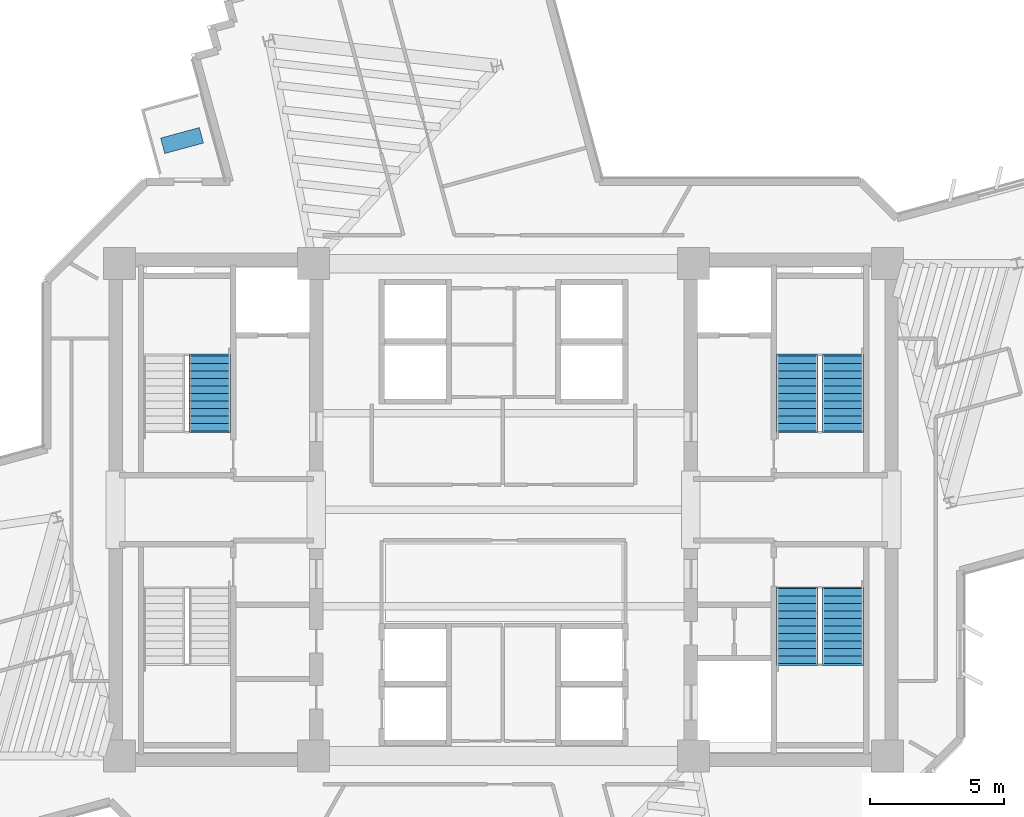
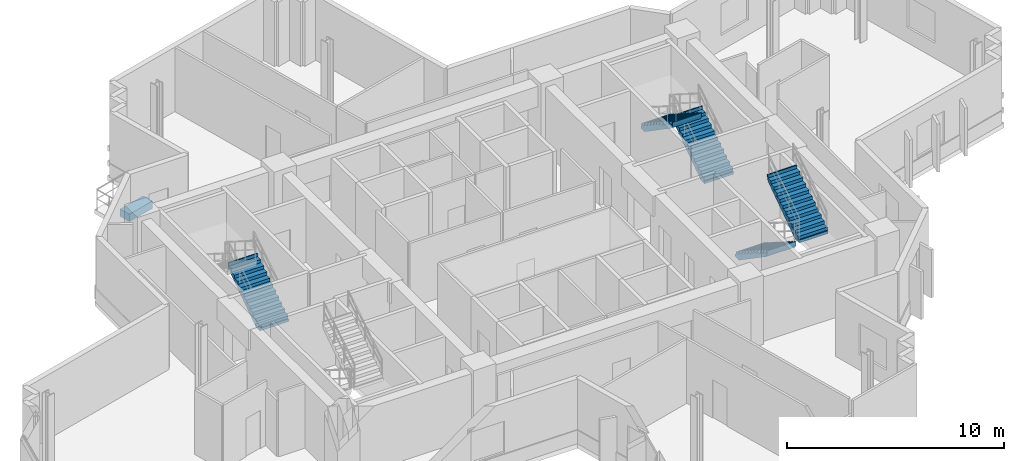
# One storey, part 12 of 15: 5 stair flights, 1 discrete accessory, 3 elements without a shape of their own.
"""IFC4 building model written with IfcOpenShell, lengths in metres."""

from ifc_helpers import new_model, si_unit, direction, frame, origin, origin_2d, place, context, subcontext, project, spatial, polyline, rectangle, outline, extrude, source, transform, mapped, material, type_object, element, aggregate, save


model = new_model("IFC4")

# Units and contexts
model_context = context("Model", 3, precision=1e-05, world=origin(), true_north=direction((0.0, 1.0)))
body_context = subcontext(model_context, "Body", "Model", "MODEL_VIEW")
ifc_project = project(units=[si_unit("LENGTHUNIT", "METRE"), si_unit("AREAUNIT", "SQUARE_METRE"), si_unit("VOLUMEUNIT", "CUBIC_METRE"), si_unit("PLANEANGLEUNIT", "RADIAN"), si_unit("MASSUNIT", "GRAM", prefix="KILO")], contexts=[model_context])

# Site, building, storey
site_placement = place(None, origin())
site = spatial("IfcSite", under=ifc_project, at=site_placement, CompositionType="ELEMENT")
building_placement = place(site_placement, origin())
building = spatial("IfcBuilding", under=site, at=building_placement, Name="Zahravan Cultural Tower", CompositionType="ELEMENT")
storey_placement = place(building_placement, frame((0.0, 0.0, 194.10009765625)))
storey = spatial("IfcBuildingStorey", under=building, at=storey_placement, Name="L45", CompositionType="ELEMENT", Elevation=194.10009765625)

# Stair, stair flight
ifc_material_1 = material(Name="Concrete C45/55", Category="concrete")
stair_type = type_object("IfcStairType", Name="STR-DL-1550-390", PredefinedType="HALF_TURN_STAIR", material=ifc_material_1)
stair_1_placement = place(storey_placement, origin())
stair_1 = element("IfcStair", 1, at=stair_1_placement, inside=storey, type_object=stair_type, Name="L45 West Core North Exit Stair ST-W1", PredefinedType="HALF_TURN_STAIR")
stair_flight_type = type_object("IfcStairFlightType", Name="FLG-DL-1550-390", PredefinedType="STRAIGHT", material=ifc_material_1)
stair_flight_1_placement = place(storey_placement, frame((25.02490234375, 29.949951171875, 0.0), z_axis=(0.0, 0.0, 1.0), x_axis=(0.0, 1.0, 0.0)))
stair_flight_1 = element("IfcStairFlight", 2, at=stair_flight_1_placement, type_object=stair_flight_type, Name="ST-W1 flight 1", NumberOfRisers=11, NumberOfTreads=10, PredefinedType="STRAIGHT", RiserHeight=0.177272727, TreadLength=0.28, context=body_context, shape_type="SweptSolid", body=[
    extrude(outline(polyline([(-0.06494140625, -0.139892578125), (-0.06494140625, 0.0), (0.0, 0.0), (0.0, 0.17724609375), (0.280029296875, 0.17724609375), (0.280029296875, 0.3544921875), (0.56005859375, 0.3544921875), (0.56005859375, 0.53173828125), (0.840087890625, 0.53173828125), (0.840087890625, 0.708984375), (1.1201171875, 0.708984375), (1.1201171875, 0.886474609375), (1.39990234375, 0.886474609375), (1.39990234375, 1.063720703125), (1.679931640625, 1.063720703125), (1.679931640625, 1.240966796875), (1.9599609375, 1.240966796875), (1.9599609375, 1.418212890625), (2.239990234375, 1.418212890625), (2.239990234375, 1.595458984375), (2.52001953125, 1.595458984375), (2.52001953125, 1.772705078125), (2.800048828125, 1.772705078125), (2.800048828125, 1.949951171875), (2.864990234375, 1.949951171875), (2.864990234375, 1.800048828125), (2.800048828125, 1.59521484375), (0.2802734375, -0.139892578125), (-0.06494140625, -0.139892578125)])), frame((0.0, 0.77490234375, 0.0), z_axis=(0.0, -1.0, 0.0), x_axis=(1.0, 0.0, 0.0)), (0.0, 0.0, 1.0), 1.550048828125),
])
aggregate(stair_1, [stair_flight_1])

# Stair, stair flights
stair_2_placement = place(storey_placement, origin())
stair_2 = element("IfcStair", 3, at=stair_2_placement, inside=storey, type_object=stair_type, Name="L45 East Core North Exit Stair ST-E1", PredefinedType="HALF_TURN_STAIR")
stair_flight_2_placement = place(storey_placement, frame((48.675048828125, 29.949951171875, 0.0), z_axis=(0.0, 0.0, 1.0), x_axis=(0.0, 1.0, 0.0)))
stair_flight_2 = element("IfcStairFlight", 4, at=stair_flight_2_placement, type_object=stair_flight_type, Name="ST-E1 flight 1", NumberOfRisers=11, NumberOfTreads=10, PredefinedType="STRAIGHT", RiserHeight=0.177272727, TreadLength=0.28, context=body_context, shape_type="SweptSolid", body=[
    extrude(outline(polyline([(-0.06494140625, -0.139892578125), (-0.06494140625, 0.0), (0.0, 0.0), (0.0, 0.17724609375), (0.280029296875, 0.17724609375), (0.280029296875, 0.3544921875), (0.56005859375, 0.3544921875), (0.56005859375, 0.53173828125), (0.840087890625, 0.53173828125), (0.840087890625, 0.708984375), (1.1201171875, 0.708984375), (1.1201171875, 0.886474609375), (1.39990234375, 0.886474609375), (1.39990234375, 1.063720703125), (1.679931640625, 1.063720703125), (1.679931640625, 1.240966796875), (1.9599609375, 1.240966796875), (1.9599609375, 1.418212890625), (2.239990234375, 1.418212890625), (2.239990234375, 1.595458984375), (2.52001953125, 1.595458984375), (2.52001953125, 1.772705078125), (2.800048828125, 1.772705078125), (2.800048828125, 1.949951171875), (2.864990234375, 1.949951171875), (2.864990234375, 1.800048828125), (2.800048828125, 1.59521484375), (0.2802734375, -0.139892578125), (-0.06494140625, -0.139892578125)])), frame((0.0, 0.77490234375, 0.0), z_axis=(0.0, -1.0, 0.0), x_axis=(1.0, 0.0, 0.0)), (0.0, 0.0, 1.0), 1.550048828125),
])
stair_flight_3_placement = place(storey_placement, frame((46.97509765625, 32.75, 1.949951171875), z_axis=(0.0, 0.0, 1.0), x_axis=(0.0, -1.0, 0.0)))
stair_flight_3 = element("IfcStairFlight", 5, at=stair_flight_3_placement, type_object=stair_flight_type, Name="ST-E1 flight 2", NumberOfRisers=11, NumberOfTreads=10, PredefinedType="STRAIGHT", RiserHeight=0.177272727, TreadLength=0.28, context=body_context, shape_type="SweptSolid", body=[
    extrude(outline(polyline([(-0.06494140625, -0.139892578125), (-0.06494140625, 0.0), (0.0, 0.0), (0.0, 0.17724609375), (0.280029296875, 0.17724609375), (0.280029296875, 0.3544921875), (0.56005859375, 0.3544921875), (0.56005859375, 0.53173828125), (0.840087890625, 0.53173828125), (0.840087890625, 0.708984375), (1.1201171875, 0.708984375), (1.1201171875, 0.886474609375), (1.39990234375, 0.886474609375), (1.39990234375, 1.063720703125), (1.679931640625, 1.063720703125), (1.679931640625, 1.240966796875), (1.9599609375, 1.240966796875), (1.9599609375, 1.418212890625), (2.239990234375, 1.418212890625), (2.239990234375, 1.595458984375), (2.52001953125, 1.595458984375), (2.52001953125, 1.772705078125), (2.800048828125, 1.772705078125), (2.800048828125, 1.949951171875), (2.864990234375, 1.949951171875), (2.864990234375, 1.800048828125), (2.800048828125, 1.59521484375), (0.2802734375, -0.139892578125), (-0.06494140625, -0.139892578125)])), frame((0.0, 0.77490234375, 0.0), z_axis=(0.0, -1.0, 0.0), x_axis=(1.0, 0.0, 0.0)), (0.0, 0.0, 1.0), 1.550048828125),
])
aggregate(stair_2, [stair_flight_2, stair_flight_3])

stair_3_placement = place(storey_placement, origin())
stair_3 = element("IfcStair", 6, at=stair_3_placement, inside=storey, type_object=stair_type, Name="L45 East Core South Exit Stair ST-E2", PredefinedType="HALF_TURN_STAIR")
stair_flight_4_placement = place(storey_placement, frame((46.97509765625, 24.050048828125, 0.0), z_axis=(0.0, 0.0, 1.0), x_axis=(0.0, -1.0, 0.0)))
stair_flight_4 = element("IfcStairFlight", 7, at=stair_flight_4_placement, type_object=stair_flight_type, Name="ST-E2 flight 1", NumberOfRisers=11, NumberOfTreads=10, PredefinedType="STRAIGHT", RiserHeight=0.177272727, TreadLength=0.28, context=body_context, shape_type="SweptSolid", body=[
    extrude(outline(polyline([(-0.06494140625, -0.139892578125), (-0.06494140625, 0.0), (0.0, 0.0), (0.0, 0.17724609375), (0.280029296875, 0.17724609375), (0.280029296875, 0.3544921875), (0.56005859375, 0.3544921875), (0.56005859375, 0.53173828125), (0.840087890625, 0.53173828125), (0.840087890625, 0.708984375), (1.1201171875, 0.708984375), (1.1201171875, 0.886474609375), (1.39990234375, 0.886474609375), (1.39990234375, 1.063720703125), (1.679931640625, 1.063720703125), (1.679931640625, 1.240966796875), (1.9599609375, 1.240966796875), (1.9599609375, 1.418212890625), (2.239990234375, 1.418212890625), (2.239990234375, 1.595458984375), (2.52001953125, 1.595458984375), (2.52001953125, 1.772705078125), (2.800048828125, 1.772705078125), (2.800048828125, 1.949951171875), (2.864990234375, 1.949951171875), (2.864990234375, 1.800048828125), (2.800048828125, 1.59521484375), (0.2802734375, -0.139892578125), (-0.06494140625, -0.139892578125)])), frame((0.0, 0.77490234375, 0.0), z_axis=(0.0, -1.0, 0.0), x_axis=(1.0, 0.0, 0.0)), (0.0, 0.0, 1.0), 1.550048828125),
])
stair_flight_5_placement = place(storey_placement, frame((48.675048828125, 21.25, 1.949951171875), z_axis=(0.0, 0.0, 1.0), x_axis=(0.0, 1.0, 0.0)))
stair_flight_5 = element("IfcStairFlight", 8, at=stair_flight_5_placement, type_object=stair_flight_type, Name="ST-E2 flight 2", NumberOfRisers=11, NumberOfTreads=10, PredefinedType="STRAIGHT", RiserHeight=0.177272727, TreadLength=0.28, context=body_context, shape_type="SweptSolid", body=[
    extrude(outline(polyline([(-0.06494140625, -0.139892578125), (-0.06494140625, 0.0), (0.0, 0.0), (0.0, 0.17724609375), (0.280029296875, 0.17724609375), (0.280029296875, 0.3544921875), (0.56005859375, 0.3544921875), (0.56005859375, 0.53173828125), (0.840087890625, 0.53173828125), (0.840087890625, 0.708984375), (1.1201171875, 0.708984375), (1.1201171875, 0.886474609375), (1.39990234375, 0.886474609375), (1.39990234375, 1.063720703125), (1.679931640625, 1.063720703125), (1.679931640625, 1.240966796875), (1.9599609375, 1.240966796875), (1.9599609375, 1.418212890625), (2.239990234375, 1.418212890625), (2.239990234375, 1.595458984375), (2.52001953125, 1.595458984375), (2.52001953125, 1.772705078125), (2.800048828125, 1.772705078125), (2.800048828125, 1.949951171875), (2.864990234375, 1.949951171875), (2.864990234375, 1.800048828125), (2.800048828125, 1.59521484375), (0.2802734375, -0.139892578125), (-0.06494140625, -0.139892578125)])), frame((0.0, 0.77490234375, 0.0), z_axis=(0.0, -1.0, 0.0), x_axis=(1.0, 0.0, 0.0)), (0.0, 0.0, 1.0), 1.550048828125),
])
aggregate(stair_3, [stair_flight_4, stair_flight_5])

# Discrete accessory
ifc_material_2 = material(Name="Planted soil and terracotta planter", Category="masonry")
discrete_accessory_type = type_object("IfcDiscreteAccessoryType", Name="ACC-PLANTER-TC", PredefinedType="USERDEFINED", material=ifc_material_2)
shared_shape = source(origin(), body_context, "Body", "SweptSolid", [
    extrude(rectangle(XDim=1.5, YDim=0.60009765625, at=origin_2d()), origin(), (0.0, 0.0, 1.0), 0.419921875),
])
discrete_accessory_placement = place(storey_placement, frame((23.98388671875, 40.799560546875, 0.0), z_axis=(0.0, 0.0, 1.0), x_axis=(0.965016494472, 0.262189178641, 0.0)))
element("IfcDiscreteAccessory", 9, at=discrete_accessory_placement, inside=storey, type_object=discrete_accessory_type, Name="L45 Terracotta Sculpture Planter NW", ObjectType="PLANTER", PredefinedType="USERDEFINED", context=body_context, shape_type="MappedRepresentation", body=[
    mapped(shared_shape, transform((0.0, 0.0, 0.0), x_axis=(1.0, 0.0, 0.0), y_axis=(0.0, 1.0, 0.0), z_axis=(0.0, 0.0, 1.0), scale=1.0)),
])

save(model, "model.ifc")
